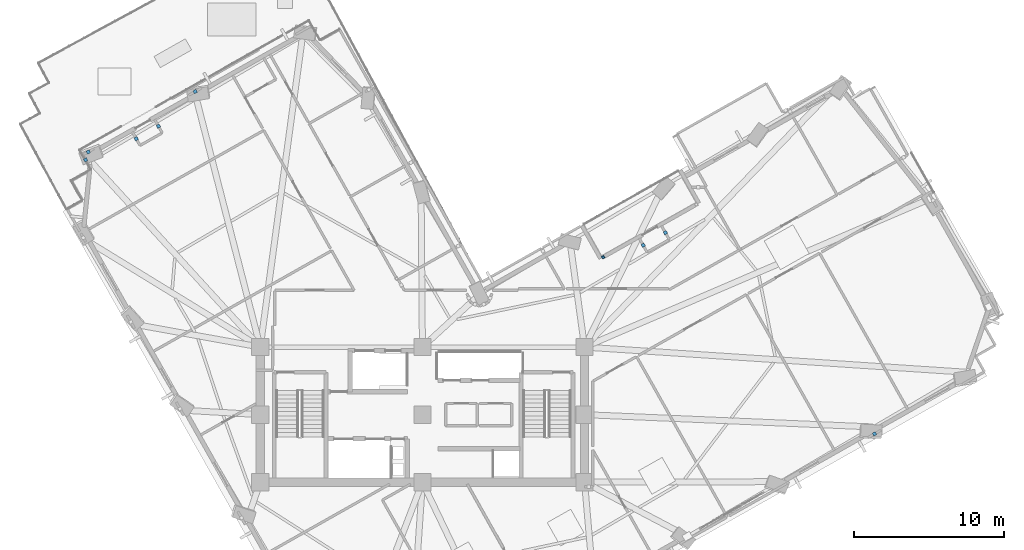
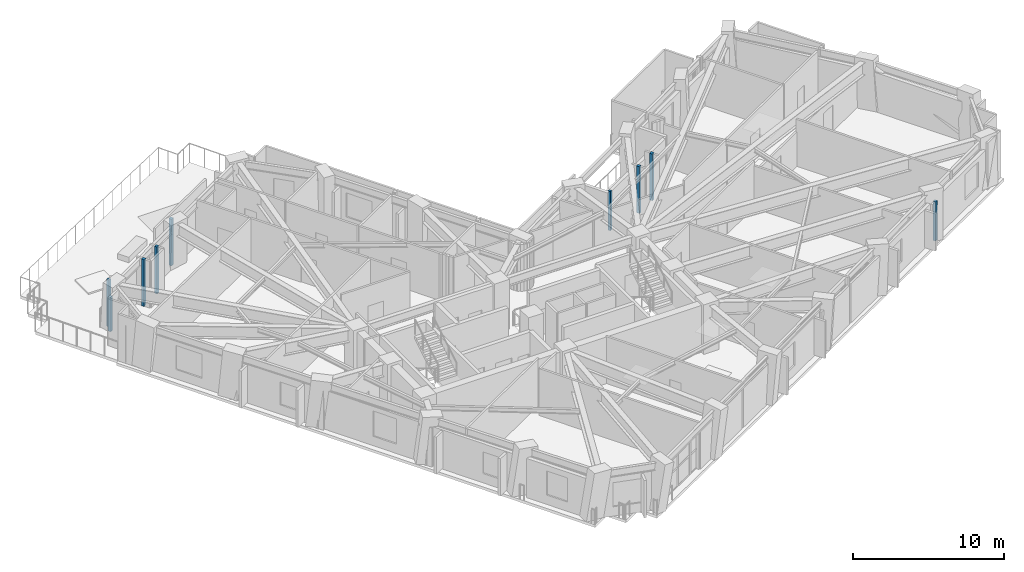
# One storey, part 8 of 18: 9 plates.
"""IFC4 building model written with IfcOpenShell, lengths in metres."""

import ifcopenshell
import ifcopenshell.guid

model = None  # the IFC model being written
_history = None  # IfcOwnerHistory: only IFC2X3 demands one
_inside = {}  # id of a spatial element -> (the spatial element, [elements in it])
_under = {}  # id of a project, library or spatial element -> (it, [spatial elements below it])
_declared = {}  # id of a project -> (the project, [libraries it declares])
_typed = {}  # id of a type object -> (the type object, [elements of that type])
_made_of = {}  # id of a material, layer set ... -> (it, [elements and type objects made of it])


def new_model(schema):
    """Start an empty IFC model of exactly this schema.

    Asked for "IFC4X3", IfcOpenShell would pick the latest addendum, in which some entities
    have other attributes; the version numbers below select the first issue.
    IFC2X3 requires an IfcOwnerHistory on every rooted entity: one is made here for all.
    """
    global model, _history
    if schema == "IFC4X3":
        model = ifcopenshell.file(schema_version=(4, 3, 0, 0))
    else:
        model = ifcopenshell.file(schema=schema)
    _inside.clear()
    _under.clear()
    _declared.clear()
    _typed.clear()
    _made_of.clear()
    _history = None
    if model.schema == "IFC2X3":
        org = make("IfcOrganization", Name="unknown")
        user = make(
            "IfcPersonAndOrganization",
            ThePerson=make("IfcPerson", FamilyName="unknown"),
            TheOrganization=org,
        )
        app = make(
            "IfcApplication",
            ApplicationDeveloper=org,
            Version="unknown",
            ApplicationFullName="unknown",
            ApplicationIdentifier="unknown",
        )
        _history = make(
            "IfcOwnerHistory",
            OwningUser=user,
            OwningApplication=app,
            ChangeAction="ADDED",
            CreationDate=0,
        )
    return model


def make(cls, **values):
    """One entity of the class cls with the attributes given. An attribute that is None is left unset."""
    return model.create_entity(
        cls, **{name: value for name, value in values.items() if value is not None}
    )


def rooted(cls, **values):
    """An entity with a GlobalId (a new one), such as an element, a storey or a relation."""
    return make(cls, GlobalId=ifcopenshell.guid.new(), OwnerHistory=_history, **values)


def si_unit(unit_type, name, prefix=None):
    """IfcSIUnit, for example si_unit("LENGTHUNIT", "METRE", prefix="MILLI")."""
    return make("IfcSIUnit", UnitType=unit_type, Prefix=prefix, Name=name)


def assignment(units):
    """IfcUnitAssignment: the units of a project."""
    return None if units is None else make("IfcUnitAssignment", Units=units)


def point(xyz):
    """IfcCartesianPoint."""
    return None if xyz is None else make("IfcCartesianPoint", Coordinates=xyz)


def direction(xyz):
    """IfcDirection."""
    return None if xyz is None else make("IfcDirection", DirectionRatios=xyz)


def frame(location, z_axis=None, x_axis=None):
    """IfcAxis2Placement3D, a coordinate frame: its origin and axes. An axis left out is left unset."""
    return make(
        "IfcAxis2Placement3D",
        Location=point(location),
        Axis=direction(z_axis),
        RefDirection=direction(x_axis),
    )


def frame_2d(location, x_axis=None):
    """IfcAxis2Placement2D, a coordinate frame in the plane: its origin and x axis."""
    return make(
        "IfcAxis2Placement2D", Location=point(location), RefDirection=direction(x_axis)
    )


def origin():
    """The frame at (0, 0, 0) with its axes left unset."""
    return frame((0.0, 0.0, 0.0))


def origin_2d():
    """The frame at (0, 0) in the plane with its x axis left unset."""
    return frame_2d((0.0, 0.0))


def place(relative_to, where):
    """IfcLocalPlacement: puts the frame where relative to a parent placement (None: the world)."""
    return make(
        "IfcLocalPlacement", PlacementRelTo=relative_to, RelativePlacement=where
    )


def context(
    kind, dimensions, precision=None, world=None, true_north=None, identifier=None
):
    """IfcGeometricRepresentationContext, for example the 3D "Model" context."""
    return make(
        "IfcGeometricRepresentationContext",
        ContextIdentifier=identifier,
        ContextType=kind,
        CoordinateSpaceDimension=dimensions,
        Precision=precision,
        WorldCoordinateSystem=world,
        TrueNorth=true_north,
    )


def subcontext(parent, identifier, kind, view, scale=None):
    """IfcGeometricRepresentationSubContext, for example "Body" below "Model"."""
    return make(
        "IfcGeometricRepresentationSubContext",
        ContextIdentifier=identifier,
        ContextType=kind,
        ParentContext=parent,
        TargetScale=scale,
        TargetView=view,
    )


def project(units=None, contexts=None):
    """IfcProject with its units and contexts."""
    return rooted(
        "IfcProject",
        Name="project",
        RepresentationContexts=contexts,
        UnitsInContext=assignment(units),
    )


def spatial(cls, under=None, at=None, **own):
    """A site, building, storey or space (cls), placed at a placement, below another one or the project."""
    s = rooted(cls, ObjectPlacement=at, **own)
    if under is not None:
        _under.setdefault(under.id(), (under, []))[1].append(s)
    return s


def profile(cls, at=None, kind="AREA", **sizes):
    """A parametric profile (cls). Its sizes go by their IFC names, for example OverallWidth=200.0."""
    return make(cls, ProfileType=kind, Position=at, **sizes)


def rectangle(**sizes):
    """IfcRectangleProfileDef."""
    return profile("IfcRectangleProfileDef", **sizes)


def extrude(swept, where, along, depth):
    """IfcExtrudedAreaSolid: the profile swept, set in the frame where, extruded along a direction by depth."""
    return make(
        "IfcExtrudedAreaSolid",
        SweptArea=swept,
        Position=where,
        ExtrudedDirection=direction(along),
        Depth=depth,
    )


def shape(context_of_items, identifier, shape_type, items):
    """IfcShapeRepresentation: the items that make up one representation, for example the "Body"."""
    return make(
        "IfcShapeRepresentation",
        ContextOfItems=context_of_items,
        RepresentationIdentifier=identifier,
        RepresentationType=shape_type,
        Items=items,
    )


def material(Name=None, Category=None):
    """IfcMaterial."""
    return make("IfcMaterial", Name=Name, Category=Category)


def layer(
    of_material, thickness, ventilated=None, Name=None, Category=None, Priority=None
):
    """IfcMaterialLayer: one layer of a wall or slab, of a material (None: an air gap)."""
    return make(
        "IfcMaterialLayer",
        Material=of_material,
        LayerThickness=thickness,
        IsVentilated=ventilated,
        Name=Name,
        Category=Category,
        Priority=Priority,
    )


def layer_set(layers, Name=None):
    """IfcMaterialLayerSet."""
    return make("IfcMaterialLayerSet", MaterialLayers=layers, LayerSetName=Name)


def made_of(thing, what):
    """Note that an element or type object is made of a material, layer set ...; save() writes the relation."""
    if what is not None:
        _made_of.setdefault(what.id(), (what, []))[1].append(thing)
    return thing


def type_object(cls, material=None, **own):
    """A type object (cls), such as IfcWallType, which elements share."""
    return made_of(rooted(cls, **own), material)


def element(
    cls,
    number,
    at=None,
    inside=None,
    cuts=None,
    type_object=None,
    material=None,
    context=None,
    identifier="Body",
    shape_type=None,
    held_by="IfcProductDefinitionShape",
    body=None,
    shapes=None,
    **own,
):
    """One element of the class cls, such as IfcWall. Its Tag is "e" and its number.

    at: its placement. inside: the storey or other place that contains it. cuts: it is an
    opening in that element (IfcRelVoidsElement). A single representation is given by context,
    identifier, shape_type and body (its items); several are given by shapes. held_by: the class
    of the entity that holds the representations. save() writes the other relations.
    """
    e = rooted(cls, Tag="e%d" % number, ObjectPlacement=at, **own)
    if body is not None:
        shapes = [shape(context, identifier, shape_type, body)]
    if shapes is not None:
        e.Representation = make(held_by, Representations=shapes)
    if inside is not None:
        _inside.setdefault(inside.id(), (inside, []))[1].append(e)
    if cuts is not None:
        rooted(
            "IfcRelVoidsElement", RelatingBuildingElement=cuts, RelatedOpeningElement=e
        )
    if type_object is not None:
        _typed.setdefault(type_object.id(), (type_object, []))[1].append(e)
    return made_of(e, material)


def aggregate(whole, parts):
    """IfcRelAggregates: a whole, such as a stair, and the parts it consists of."""
    return rooted("IfcRelAggregates", RelatingObject=whole, RelatedObjects=parts)


def save(model, path):
    """Write the relations noted so far, then the file.

    IfcRelAggregates (storeys below a building ...), IfcRelContainedInSpatialStructure (elements
    in a storey), IfcRelDefinesByType, IfcRelAssociatesMaterial and IfcRelDeclares: one each for
    every whole, place, type object, material and project.
    """
    for whole, parts in _under.values():
        aggregate(whole, parts)
    for where, things in _inside.values():
        rooted(
            "IfcRelContainedInSpatialStructure",
            RelatedElements=things,
            RelatingStructure=where,
        )
    for kind, things in _typed.values():
        rooted("IfcRelDefinesByType", RelatedObjects=things, RelatingType=kind)
    for what, things in _made_of.values():
        rooted("IfcRelAssociatesMaterial", RelatedObjects=things, RelatingMaterial=what)
    for by, libraries in _declared.values():
        rooted("IfcRelDeclares", RelatingContext=by, RelatedDefinitions=libraries)
    model.write(path)


model = new_model("IFC4")

# Units and contexts
model_context = context("Model", 3, precision=1e-05, world=origin(), true_north=direction((0.0, 1.0)))
body_context = subcontext(model_context, "Body", "Model", "MODEL_VIEW")
ifc_project = project(units=[si_unit("LENGTHUNIT", "METRE"), si_unit("AREAUNIT", "SQUARE_METRE"), si_unit("VOLUMEUNIT", "CUBIC_METRE"), si_unit("PLANEANGLEUNIT", "RADIAN"), si_unit("MASSUNIT", "GRAM", prefix="KILO")], contexts=[model_context])

# Site, building, storey
site_placement = place(None, origin())
site = spatial("IfcSite", under=ifc_project, at=site_placement, CompositionType="ELEMENT")
building_placement = place(site_placement, origin())
building = spatial("IfcBuilding", under=site, at=building_placement, Name="Gaonmaruhae Medical Tower", CompositionType="ELEMENT")
storey_placement = place(building_placement, frame((0.0, 0.0, 149.800048828125)))
storey = spatial("IfcBuildingStorey", under=building, at=storey_placement, Name="L35", CompositionType="ELEMENT", Elevation=149.800048828125)

# Plates
ifc_material = material(Name="Anodised aluminium 6063-T6", Category="aluminium")
ifc_layer = layer(ifc_material, 0.011962890625)
ifc_layer_set = layer_set([ifc_layer], Name="Anodised aluminium 6063-T6")
plate_type = type_object("IfcPlateType", Name="PP-01 Interior Partition Corner Stiffener Plate", PredefinedType="SHEET", material=ifc_layer_set)
plate_1_placement = place(storey_placement, frame((36.839111328125, 22.793212890625, 0.0), z_axis=(0.0, 0.0, 1.0), x_axis=(0.8707850851, 0.491663844071, 0.0)))
element("IfcPlate", 1, at=plate_1_placement, inside=storey, type_object=plate_type, Name="L35 Partition End Jamb Post Plate PLT-L35-ENDP-TERB-0", PredefinedType="SHEET", context=body_context, shape_type="SweptSolid", body=[
    extrude(rectangle(XDim=0.179931640625, YDim=0.179931640625, at=origin_2d()), origin(), (0.0, 0.0, 1.0), 3.1650390625),
])
plate_2_placement = place(storey_placement, frame((54.91357421875, 11.0185546875, 0.0), z_axis=(0.0, 0.0, 1.0), x_axis=(-0.870450218436, -0.492256454731, 0.0)))
element("IfcPlate", 2, at=plate_2_placement, inside=storey, type_object=plate_type, Name="L35 Partition Corner Stiffener Plate PLT-L35-JGP-PW025", PredefinedType="SHEET", context=body_context, shape_type="SweptSolid", body=[
    extrude(rectangle(XDim=0.219970703125, YDim=0.219970703125, at=origin_2d()), origin(), (0.0, 0.0, 1.0), 3.1650390625),
])
plate_3_placement = place(storey_placement, frame((2.368408203125, 29.26708984375, 0.0), z_axis=(0.0, 0.0, 1.0), x_axis=(-0.492545079884, 0.870286932157, 0.0)))
element("IfcPlate", 3, at=plate_3_placement, inside=storey, type_object=plate_type, Name="L35 Partition Corner Stiffener Plate PLT-L35-JGP-PW049", PredefinedType="SHEET", context=body_context, shape_type="SweptSolid", body=[
    extrude(rectangle(XDim=0.219970703125, YDim=0.219970703125, at=origin_2d()), origin(), (0.0, 0.0, 1.0), 2.764892578125),
])
for number, where, z_axis, x_axis, name in (
    (4, (2.551025390625, 29.800048828125, 0.0), (0.0, 0.0, 1.0), (0.871008105411, 0.491268643725, 0.0), "L35 Partition Corner Stiffener Plate PLT-L35-JGP-PW050"),
    (5, (5.737548828125, 30.677978515625, 0.0), (0.0, 0.0, 1.0), (0.49145105646, -0.870905195245, 0.0), "L35 Partition Corner Stiffener Plate PLT-L35-JGP-PW051"),
    (6, (7.217529296875, 31.513427734375, 0.0), (0.0, 0.0, 1.0), (-0.491861406282, 0.8706735077, 0.0), "L35 Partition Corner Stiffener Plate PLT-L35-JGP-PW053"),
    (7, (9.66357421875, 33.81640625, 0.0), (0.0, 0.0, 1.0), (0.870870883366, 0.491511855915, 0.0), "L35 Partition Corner Stiffener Plate PLT-L35-JGP-PW054"),
    (8, (39.5048828125, 23.58349609375, 0.0), (0.0, 0.0, 1.0), (0.491025393225, -0.871145259534, 0.0), "L35 Partition Corner Stiffener Plate PLT-L35-JGP-PW075"),
    (9, (40.985595703125, 24.41943359375, 0.0), (0.0, 0.0, 1.0), (-0.491739832533, 0.87074217602, 0.0), "L35 Partition Corner Stiffener Plate PLT-L35-JGP-PW077"),
):
    element("IfcPlate", number, at=place(storey_placement, frame(where, z_axis=z_axis, x_axis=x_axis)), inside=storey, type_object=plate_type, Name=name, PredefinedType="SHEET", context=body_context, shape_type="SweptSolid", body=[
        extrude(rectangle(XDim=0.219970703125, YDim=0.219970703125, at=origin_2d()), origin(), (0.0, 0.0, 1.0), 3.780029296875),
    ])

save(model, "model.ifc")
